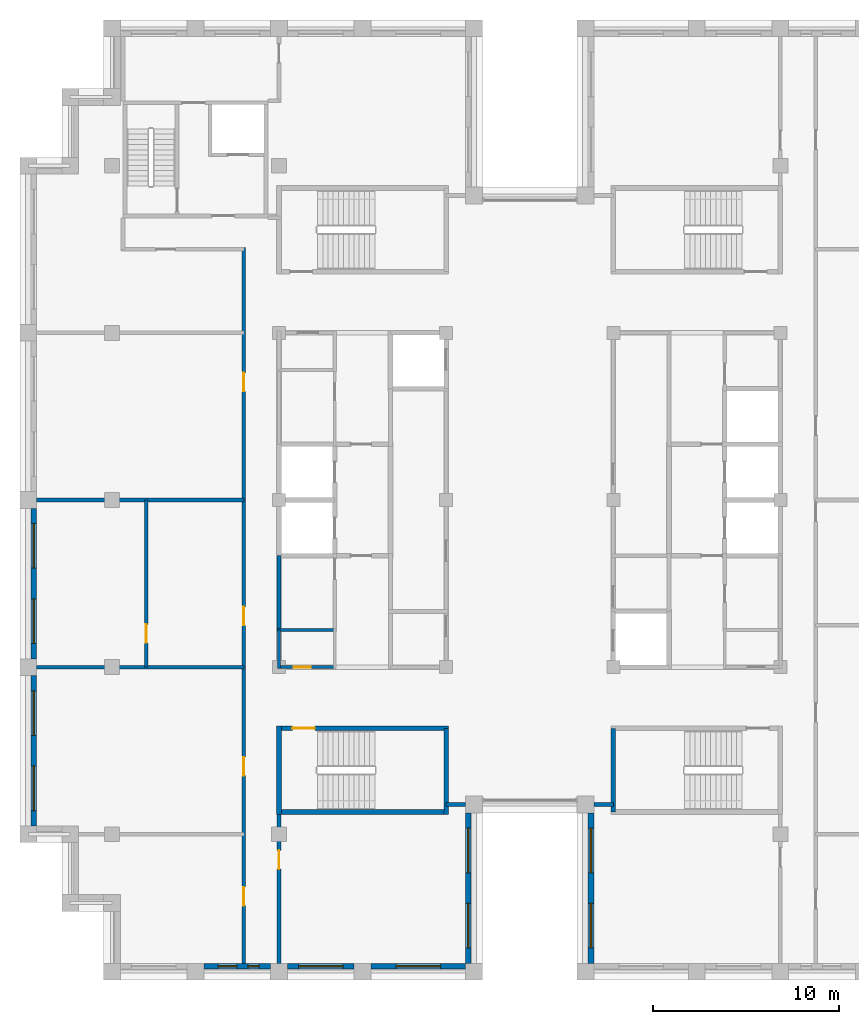
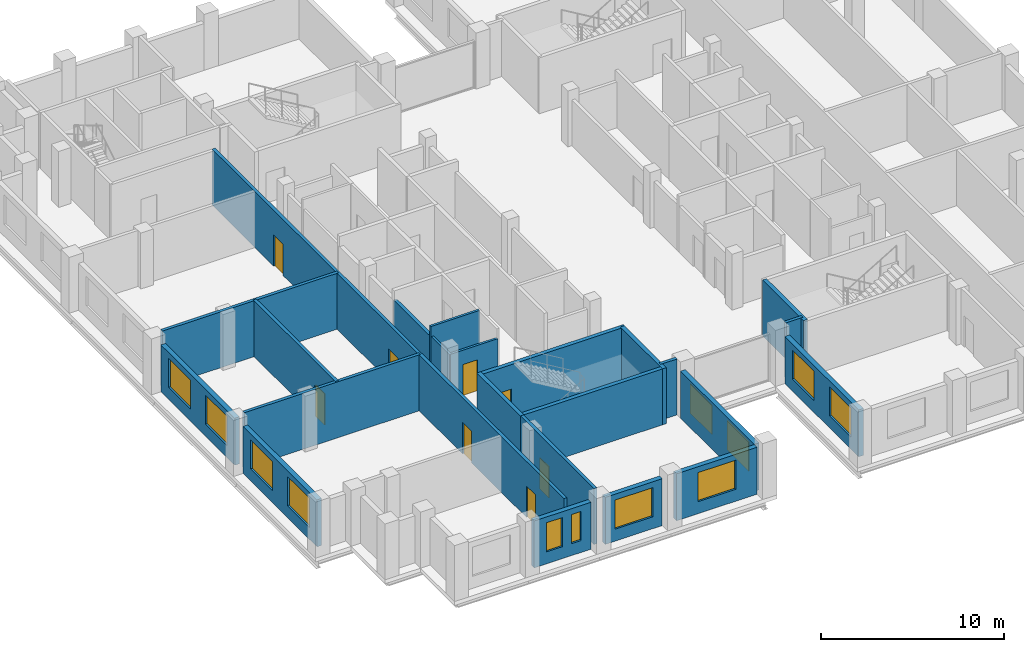
# One storey, part 6 of 13: 23 walls, 12 windows, 8 doors, 20 openings.
"""IFC4 building model written with IfcOpenShell, lengths in metres."""

from ifc_helpers import new_model, si_unit, direction, frame, frame_2d, origin, place, context, subcontext, project, spatial, rectangle, extrude, material, layer, layer_set, type_object, element, fill, save


model = new_model("IFC4")

# Units and contexts
model_context = context("Model", 3, precision=1e-05, world=origin(), true_north=direction((0.0, 1.0)))
body_context = subcontext(model_context, "Body", "Model", "MODEL_VIEW")
ifc_project = project(units=[si_unit("LENGTHUNIT", "METRE"), si_unit("AREAUNIT", "SQUARE_METRE"), si_unit("VOLUMEUNIT", "CUBIC_METRE"), si_unit("PLANEANGLEUNIT", "RADIAN"), si_unit("MASSUNIT", "GRAM", prefix="KILO")], contexts=[model_context])

# Site, building, storey
site_placement = place(None, origin())
site = spatial("IfcSite", under=ifc_project, at=site_placement, CompositionType="ELEMENT")
building_placement = place(site_placement, origin())
building = spatial("IfcBuilding", under=site, at=building_placement, Name="Corbelhall Arena Tower", CompositionType="ELEMENT")
storey_placement = place(building_placement, frame((0.0, 0.0, 330.0)))
storey = spatial("IfcBuildingStorey", under=building, at=storey_placement, Name="L72", CompositionType="ELEMENT", Elevation=330.0)

# Wall, openings, windows
ifc_material_1 = material(Name="Precast concrete C40/50 with granite facing", Category="masonry")
ifc_layer_1 = layer(ifc_material_1, 0.300048828125)
ifc_layer_set_1 = layer_set([ifc_layer_1], Name="EV-IW1 Infill panel 300")
wall_type_1 = type_object("IfcWallType", Name="EV-IW1 Infill panel 300", PredefinedType="SOLIDWALL", material=ifc_layer_set_1)
wall_1_placement = place(storey_placement, frame((-26.699951171875, -0.449951171875, 0.0), z_axis=(0.0, 0.0, 1.0), x_axis=(0.0, -1.0, 0.0)))
wall_1 = element("IfcWall", 1, at=wall_1_placement, inside=storey, type_object=wall_type_1, Name="Infill panel IW1", PredefinedType="SOLIDWALL", context=body_context, shape_type="SweptSolid", body=[
    extrude(rectangle(XDim=8.10009765625, YDim=0.300048828125, at=frame_2d((4.050048828125, 0.0))), origin(), (0.0, 0.0, 1.0), 3.139892578125),
])
opening_1_placement = place(wall_1_placement, frame((0.824951171875, 0.0, 0.800048828125)))
opening_1 = element("IfcOpeningElement", 2, at=opening_1_placement, cuts=wall_1, Name="Opening WN1", PredefinedType="OPENING", context=body_context, shape_type="SweptSolid", body=[
    extrude(rectangle(XDim=2.39990234375, YDim=1.949951171875, at=frame_2d((1.199951171875, 0.97509765625))), frame((0.0, 0.14990234375, 0.0), z_axis=(0.0, -1.0, 0.0), x_axis=(1.0, 0.0, 0.0)), (0.0, 0.0, 1.0), 0.300048828125),
])
opening_2_placement = place(wall_1_placement, frame((4.875, 0.0, 0.800048828125)))
opening_2 = element("IfcOpeningElement", 3, at=opening_2_placement, cuts=wall_1, Name="Opening WN1", PredefinedType="OPENING", context=body_context, shape_type="SweptSolid", body=[
    extrude(rectangle(XDim=2.39990234375, YDim=1.949951171875, at=frame_2d((1.199951171875, 0.97509765625))), frame((0.0, 0.14990234375, 0.0), z_axis=(0.0, -1.0, 0.0), x_axis=(1.0, 0.0, 0.0)), (0.0, 0.0, 1.0), 0.300048828125),
])
ifc_material_2 = material(Name="Aluminium black anodised", Category="aluminium")
window_type_1 = type_object("IfcWindowType", Name="EV-WN1 Office window", PartitioningType="SINGLE_PANEL", PredefinedType="WINDOW", material=ifc_material_2)
window_1_placement = place(opening_1_placement, origin())
window_1 = element("IfcWindow", 4, at=window_1_placement, inside=storey, type_object=window_type_1, Name="Window WN1", OverallHeight=1.949951171875, OverallWidth=2.39990234375, PartitioningType="SINGLE_PANEL", PredefinedType="WINDOW", context=body_context, shape_type="SweptSolid", body=[
    extrude(rectangle(XDim=2.39990234375, YDim=1.949951171875, at=frame_2d((1.199951171875, 0.97509765625))), frame((0.0, 0.030029296875, 0.0), z_axis=(0.0, -1.0, 0.0), x_axis=(1.0, 0.0, 0.0)), (0.0, 0.0, 1.0), 0.06005859375),
])
fill(opening_1, window_1)
window_2_placement = place(opening_2_placement, origin())
window_2 = element("IfcWindow", 5, at=window_2_placement, inside=storey, type_object=window_type_1, Name="Window WN1", OverallHeight=1.949951171875, OverallWidth=2.39990234375, PartitioningType="SINGLE_PANEL", PredefinedType="WINDOW", context=body_context, shape_type="SweptSolid", body=[
    extrude(rectangle(XDim=2.39990234375, YDim=1.949951171875, at=frame_2d((1.199951171875, 0.97509765625))), frame((0.0, 0.030029296875, 0.0), z_axis=(0.0, -1.0, 0.0), x_axis=(1.0, 0.0, 0.0)), (0.0, 0.0, 1.0), 0.06005859375),
])
fill(opening_2, window_2)

wall_2_placement = place(storey_placement, frame((-26.699951171875, -9.449951171875, 0.0), z_axis=(0.0, 0.0, 1.0), x_axis=(0.0, -1.0, 0.0)))
wall_2 = element("IfcWall", 6, at=wall_2_placement, inside=storey, type_object=wall_type_1, Name="Infill panel IW1", PredefinedType="SOLIDWALL", context=body_context, shape_type="SweptSolid", body=[
    extrude(rectangle(XDim=8.10009765625, YDim=0.300048828125, at=frame_2d((4.050048828125, 0.0))), origin(), (0.0, 0.0, 1.0), 3.139892578125),
])
opening_3_placement = place(wall_2_placement, frame((0.824951171875, 0.0, 0.800048828125)))
opening_3 = element("IfcOpeningElement", 7, at=opening_3_placement, cuts=wall_2, Name="Opening WN1", PredefinedType="OPENING", context=body_context, shape_type="SweptSolid", body=[
    extrude(rectangle(XDim=2.39990234375, YDim=1.949951171875, at=frame_2d((1.199951171875, 0.97509765625))), frame((0.0, 0.14990234375, 0.0), z_axis=(0.0, -1.0, 0.0), x_axis=(1.0, 0.0, 0.0)), (0.0, 0.0, 1.0), 0.300048828125),
])
opening_4_placement = place(wall_2_placement, frame((4.875, 0.0, 0.800048828125)))
opening_4 = element("IfcOpeningElement", 8, at=opening_4_placement, cuts=wall_2, Name="Opening WN1", PredefinedType="OPENING", context=body_context, shape_type="SweptSolid", body=[
    extrude(rectangle(XDim=2.39990234375, YDim=1.949951171875, at=frame_2d((1.199951171875, 0.97509765625))), frame((0.0, 0.14990234375, 0.0), z_axis=(0.0, -1.0, 0.0), x_axis=(1.0, 0.0, 0.0)), (0.0, 0.0, 1.0), 0.300048828125),
])
window_3_placement = place(opening_3_placement, origin())
window_3 = element("IfcWindow", 9, at=window_3_placement, inside=storey, type_object=window_type_1, Name="Window WN1", OverallHeight=1.949951171875, OverallWidth=2.39990234375, PartitioningType="SINGLE_PANEL", PredefinedType="WINDOW", context=body_context, shape_type="SweptSolid", body=[
    extrude(rectangle(XDim=2.39990234375, YDim=1.949951171875, at=frame_2d((1.199951171875, 0.97509765625))), frame((0.0, 0.030029296875, 0.0), z_axis=(0.0, -1.0, 0.0), x_axis=(1.0, 0.0, 0.0)), (0.0, 0.0, 1.0), 0.06005859375),
])
fill(opening_3, window_3)
window_4_placement = place(opening_4_placement, origin())
window_4 = element("IfcWindow", 10, at=window_4_placement, inside=storey, type_object=window_type_1, Name="Window WN1", OverallHeight=1.949951171875, OverallWidth=2.39990234375, PartitioningType="SINGLE_PANEL", PredefinedType="WINDOW", context=body_context, shape_type="SweptSolid", body=[
    extrude(rectangle(XDim=2.39990234375, YDim=1.949951171875, at=frame_2d((1.199951171875, 0.97509765625))), frame((0.0, 0.030029296875, 0.0), z_axis=(0.0, -1.0, 0.0), x_axis=(1.0, 0.0, 0.0)), (0.0, 0.0, 1.0), 0.06005859375),
])
fill(opening_4, window_4)

wall_3_placement = place(storey_placement, frame((-17.550048828125, -25.10009765625, 0.0), z_axis=(0.0, 0.0, 1.0), x_axis=(1.0, 0.0, 0.0)))
wall_3 = element("IfcWall", 11, at=wall_3_placement, inside=storey, type_object=wall_type_1, Name="Infill panel IW1", PredefinedType="SOLIDWALL", context=body_context, shape_type="SweptSolid", body=[
    extrude(rectangle(XDim=3.60009765625, YDim=0.300048828125, at=frame_2d((1.800048828125, 0.0))), origin(), (0.0, 0.0, 1.0), 3.139892578125),
])
opening_5_placement = place(wall_3_placement, frame((0.77490234375, 0.0, 0.800048828125)))
opening_5 = element("IfcOpeningElement", 12, at=opening_5_placement, cuts=wall_3, Name="Opening WN6", PredefinedType="OPENING", context=body_context, shape_type="SweptSolid", body=[
    extrude(rectangle(XDim=1.0, YDim=1.949951171875, at=frame_2d((0.5, 0.97509765625))), frame((0.0, 0.14990234375, 0.0), z_axis=(0.0, -1.0, 0.0), x_axis=(1.0, 0.0, 0.0)), (0.0, 0.0, 1.0), 0.300048828125),
])
opening_6_placement = place(wall_3_placement, frame((2.375, 0.0, 0.800048828125)))
opening_6 = element("IfcOpeningElement", 13, at=opening_6_placement, cuts=wall_3, Name="Opening WN5", PredefinedType="OPENING", context=body_context, shape_type="SweptSolid", body=[
    extrude(rectangle(XDim=0.60009765625, YDim=1.949951171875, at=frame_2d((0.300048828125, 0.97509765625))), frame((0.0, 0.14990234375, 0.0), z_axis=(0.0, -1.0, 0.0), x_axis=(1.0, 0.0, 0.0)), (0.0, 0.0, 1.0), 0.300048828125),
])
window_type_2 = type_object("IfcWindowType", Name="EV-WN5 Office window 600", PartitioningType="SINGLE_PANEL", PredefinedType="WINDOW", material=ifc_material_2)
window_5_placement = place(opening_6_placement, origin())
window_5 = element("IfcWindow", 14, at=window_5_placement, inside=storey, type_object=window_type_2, Name="Window WN5", OverallHeight=1.949951171875, OverallWidth=0.60009765625, PartitioningType="SINGLE_PANEL", PredefinedType="WINDOW", context=body_context, shape_type="SweptSolid", body=[
    extrude(rectangle(XDim=0.60009765625, YDim=1.949951171875, at=frame_2d((0.300048828125, 0.97509765625))), frame((0.0, 0.030029296875, 0.0), z_axis=(0.0, -1.0, 0.0), x_axis=(1.0, 0.0, 0.0)), (0.0, 0.0, 1.0), 0.06005859375),
])
fill(opening_6, window_5)
window_type_3 = type_object("IfcWindowType", Name="EV-WN6 Office window 1000", PartitioningType="SINGLE_PANEL", PredefinedType="WINDOW", material=ifc_material_2)
window_6_placement = place(opening_5_placement, origin())
window_6 = element("IfcWindow", 15, at=window_6_placement, inside=storey, type_object=window_type_3, Name="Window WN6", OverallHeight=1.949951171875, OverallWidth=1.0, PartitioningType="SINGLE_PANEL", PredefinedType="WINDOW", context=body_context, shape_type="SweptSolid", body=[
    extrude(rectangle(XDim=1.0, YDim=1.949951171875, at=frame_2d((0.5, 0.97509765625))), frame((0.0, 0.030029296875, 0.0), z_axis=(0.0, -1.0, 0.0), x_axis=(1.0, 0.0, 0.0)), (0.0, 0.0, 1.0), 0.06005859375),
])
fill(opening_5, window_6)

# Wall, opening, window
wall_4_placement = place(storey_placement, frame((-13.050048828125, -25.10009765625, 0.0), z_axis=(0.0, 0.0, 1.0), x_axis=(1.0, 0.0, 0.0)))
wall_4 = element("IfcWall", 16, at=wall_4_placement, inside=storey, type_object=wall_type_1, Name="Infill panel IW1", PredefinedType="SOLIDWALL", context=body_context, shape_type="SweptSolid", body=[
    extrude(rectangle(XDim=3.60009765625, YDim=0.300048828125, at=frame_2d((1.800048828125, 0.0))), origin(), (0.0, 0.0, 1.0), 3.139892578125),
])
opening_7_placement = place(wall_4_placement, frame((0.60009765625, 0.0, 0.800048828125)))
opening_7 = element("IfcOpeningElement", 17, at=opening_7_placement, cuts=wall_4, Name="Opening WN1", PredefinedType="OPENING", context=body_context, shape_type="SweptSolid", body=[
    extrude(rectangle(XDim=2.39990234375, YDim=1.949951171875, at=frame_2d((1.199951171875, 0.97509765625))), frame((0.0, 0.14990234375, 0.0), z_axis=(0.0, -1.0, 0.0), x_axis=(1.0, 0.0, 0.0)), (0.0, 0.0, 1.0), 0.300048828125),
])
window_7_placement = place(opening_7_placement, origin())
window_7 = element("IfcWindow", 18, at=window_7_placement, inside=storey, type_object=window_type_1, Name="Window WN1", OverallHeight=1.949951171875, OverallWidth=2.39990234375, PartitioningType="SINGLE_PANEL", PredefinedType="WINDOW", context=body_context, shape_type="SweptSolid", body=[
    extrude(rectangle(XDim=2.39990234375, YDim=1.949951171875, at=frame_2d((1.199951171875, 0.97509765625))), frame((0.0, 0.030029296875, 0.0), z_axis=(0.0, -1.0, 0.0), x_axis=(1.0, 0.0, 0.0)), (0.0, 0.0, 1.0), 0.06005859375),
])
fill(opening_7, window_7)

wall_5_placement = place(storey_placement, frame((-8.550048828125, -25.10009765625, 0.0), z_axis=(0.0, 0.0, 1.0), x_axis=(1.0, 0.0, 0.0)))
wall_5 = element("IfcWall", 19, at=wall_5_placement, inside=storey, type_object=wall_type_1, Name="Infill panel IW1", PredefinedType="SOLIDWALL", context=body_context, shape_type="SweptSolid", body=[
    extrude(rectangle(XDim=5.10009765625, YDim=0.300048828125, at=frame_2d((2.550048828125, 0.0))), origin(), (0.0, 0.0, 1.0), 3.139892578125),
])
opening_8_placement = place(wall_5_placement, frame((1.35009765625, 0.0, 0.800048828125)))
opening_8 = element("IfcOpeningElement", 20, at=opening_8_placement, cuts=wall_5, Name="Opening WN1", PredefinedType="OPENING", context=body_context, shape_type="SweptSolid", body=[
    extrude(rectangle(XDim=2.39990234375, YDim=1.949951171875, at=frame_2d((1.199951171875, 0.97509765625))), frame((0.0, 0.14990234375, 0.0), z_axis=(0.0, -1.0, 0.0), x_axis=(1.0, 0.0, 0.0)), (0.0, 0.0, 1.0), 0.300048828125),
])
window_8_placement = place(opening_8_placement, origin())
window_8 = element("IfcWindow", 21, at=window_8_placement, inside=storey, type_object=window_type_1, Name="Window WN1", OverallHeight=1.949951171875, OverallWidth=2.39990234375, PartitioningType="SINGLE_PANEL", PredefinedType="WINDOW", context=body_context, shape_type="SweptSolid", body=[
    extrude(rectangle(XDim=2.39990234375, YDim=1.949951171875, at=frame_2d((1.199951171875, 0.97509765625))), frame((0.0, 0.030029296875, 0.0), z_axis=(0.0, -1.0, 0.0), x_axis=(1.0, 0.0, 0.0)), (0.0, 0.0, 1.0), 0.06005859375),
])
fill(opening_8, window_8)

# Wall, openings, windows
wall_6_placement = place(storey_placement, frame((-3.300048828125, -24.949951171875, 0.0), z_axis=(0.0, 0.0, 1.0), x_axis=(0.0, 1.0, 0.0)))
wall_6 = element("IfcWall", 22, at=wall_6_placement, inside=storey, type_object=wall_type_1, Name="Infill panel IW1", PredefinedType="SOLIDWALL", context=body_context, shape_type="SweptSolid", body=[
    extrude(rectangle(XDim=8.099853515625, YDim=0.300048828125, at=frame_2d((4.0498046875, 0.0))), origin(), (0.0, 0.0, 1.0), 3.139892578125),
])
opening_9_placement = place(wall_6_placement, frame((0.824951171875, 0.0, 0.800048828125)))
opening_9 = element("IfcOpeningElement", 23, at=opening_9_placement, cuts=wall_6, Name="Opening WN1", PredefinedType="OPENING", context=body_context, shape_type="SweptSolid", body=[
    extrude(rectangle(XDim=2.39990234375, YDim=1.949951171875, at=frame_2d((1.199951171875, 0.97509765625))), frame((0.0, 0.14990234375, 0.0), z_axis=(0.0, -1.0, 0.0), x_axis=(1.0, 0.0, 0.0)), (0.0, 0.0, 1.0), 0.300048828125),
])
opening_10_placement = place(wall_6_placement, frame((4.875, 0.0, 0.800048828125)))
opening_10 = element("IfcOpeningElement", 24, at=opening_10_placement, cuts=wall_6, Name="Opening WN1", PredefinedType="OPENING", context=body_context, shape_type="SweptSolid", body=[
    extrude(rectangle(XDim=2.39990234375, YDim=1.949951171875, at=frame_2d((1.199951171875, 0.97509765625))), frame((0.0, 0.14990234375, 0.0), z_axis=(0.0, -1.0, 0.0), x_axis=(1.0, 0.0, 0.0)), (0.0, 0.0, 1.0), 0.300048828125),
])
window_9_placement = place(opening_9_placement, origin())
window_9 = element("IfcWindow", 25, at=window_9_placement, inside=storey, type_object=window_type_1, Name="Window WN1", OverallHeight=1.949951171875, OverallWidth=2.39990234375, PartitioningType="SINGLE_PANEL", PredefinedType="WINDOW", context=body_context, shape_type="SweptSolid", body=[
    extrude(rectangle(XDim=2.39990234375, YDim=1.949951171875, at=frame_2d((1.199951171875, 0.97509765625))), frame((0.0, 0.030029296875, 0.0), z_axis=(0.0, -1.0, 0.0), x_axis=(1.0, 0.0, 0.0)), (0.0, 0.0, 1.0), 0.06005859375),
])
fill(opening_9, window_9)
window_10_placement = place(opening_10_placement, origin())
window_10 = element("IfcWindow", 26, at=window_10_placement, inside=storey, type_object=window_type_1, Name="Window WN1", OverallHeight=1.949951171875, OverallWidth=2.39990234375, PartitioningType="SINGLE_PANEL", PredefinedType="WINDOW", context=body_context, shape_type="SweptSolid", body=[
    extrude(rectangle(XDim=2.39990234375, YDim=1.949951171875, at=frame_2d((1.199951171875, 0.97509765625))), frame((0.0, 0.030029296875, 0.0), z_axis=(0.0, -1.0, 0.0), x_axis=(1.0, 0.0, 0.0)), (0.0, 0.0, 1.0), 0.06005859375),
])
fill(opening_10, window_10)

wall_7_placement = place(storey_placement, frame((3.300048828125, -16.85009765625, 0.0), z_axis=(0.0, 0.0, 1.0), x_axis=(0.0, -1.0, 0.0)))
wall_7 = element("IfcWall", 27, at=wall_7_placement, inside=storey, type_object=wall_type_1, Name="Infill panel IW1", PredefinedType="SOLIDWALL", context=body_context, shape_type="SweptSolid", body=[
    extrude(rectangle(XDim=8.099853515625, YDim=0.300048828125, at=frame_2d((4.0498046875, 0.0))), origin(), (0.0, 0.0, 1.0), 3.139892578125),
])
opening_11_placement = place(wall_7_placement, frame((0.824951171875, 0.0, 0.800048828125)))
opening_11 = element("IfcOpeningElement", 28, at=opening_11_placement, cuts=wall_7, Name="Opening WN1", PredefinedType="OPENING", context=body_context, shape_type="SweptSolid", body=[
    extrude(rectangle(XDim=2.39990234375, YDim=1.949951171875, at=frame_2d((1.199951171875, 0.97509765625))), frame((0.0, 0.14990234375, 0.0), z_axis=(0.0, -1.0, 0.0), x_axis=(1.0, 0.0, 0.0)), (0.0, 0.0, 1.0), 0.300048828125),
])
opening_12_placement = place(wall_7_placement, frame((4.875, 0.0, 0.800048828125)))
opening_12 = element("IfcOpeningElement", 29, at=opening_12_placement, cuts=wall_7, Name="Opening WN1", PredefinedType="OPENING", context=body_context, shape_type="SweptSolid", body=[
    extrude(rectangle(XDim=2.39990234375, YDim=1.949951171875, at=frame_2d((1.199951171875, 0.97509765625))), frame((0.0, 0.14990234375, 0.0), z_axis=(0.0, -1.0, 0.0), x_axis=(1.0, 0.0, 0.0)), (0.0, 0.0, 1.0), 0.300048828125),
])
window_11_placement = place(opening_11_placement, origin())
window_11 = element("IfcWindow", 30, at=window_11_placement, inside=storey, type_object=window_type_1, Name="Window WN1", OverallHeight=1.949951171875, OverallWidth=2.39990234375, PartitioningType="SINGLE_PANEL", PredefinedType="WINDOW", context=body_context, shape_type="SweptSolid", body=[
    extrude(rectangle(XDim=2.39990234375, YDim=1.949951171875, at=frame_2d((1.199951171875, 0.97509765625))), frame((0.0, 0.030029296875, 0.0), z_axis=(0.0, -1.0, 0.0), x_axis=(1.0, 0.0, 0.0)), (0.0, 0.0, 1.0), 0.06005859375),
])
fill(opening_11, window_11)
window_12_placement = place(opening_12_placement, origin())
window_12 = element("IfcWindow", 31, at=window_12_placement, inside=storey, type_object=window_type_1, Name="Window WN1", OverallHeight=1.949951171875, OverallWidth=2.39990234375, PartitioningType="SINGLE_PANEL", PredefinedType="WINDOW", context=body_context, shape_type="SweptSolid", body=[
    extrude(rectangle(XDim=2.39990234375, YDim=1.949951171875, at=frame_2d((1.199951171875, 0.97509765625))), frame((0.0, 0.030029296875, 0.0), z_axis=(0.0, -1.0, 0.0), x_axis=(1.0, 0.0, 0.0)), (0.0, 0.0, 1.0), 0.06005859375),
])
fill(opening_12, window_12)

# Wall
ifc_material_3 = material(Name="Gypsum board on steel stud, acoustic", Category="steel")
ifc_layer_2 = layer(ifc_material_3, 0.199951171875)
ifc_layer_set_2 = layer_set([ifc_layer_2], Name="IN-W-DM200")
wall_type_2 = type_object("IfcWallType", Name="IN-W-DM200", PredefinedType="PARTITIONING", material=ifc_layer_set_2)
wall_8_placement = place(storey_placement, frame((-26.550048828125, -9.0, 0.0), z_axis=(0.0, 0.0, 1.0), x_axis=(1.0, 0.0, 0.0)))
element("IfcWall", 32, at=wall_8_placement, inside=storey, type_object=wall_type_2, Name="Partition 001", PredefinedType="PARTITIONING", context=body_context, shape_type="SweptSolid", body=[
    extrude(rectangle(XDim=11.150146484375, YDim=0.199951171875, at=frame_2d((5.5751953125, 0.0))), origin(), (0.0, 0.0, 1.0), 3.739990234375),
])

# Wall, opening, door
wall_9_placement = place(storey_placement, frame((-20.64990234375, -9.0, 0.0), z_axis=(0.0, 0.0, 1.0), x_axis=(0.0, 1.0, 0.0)))
wall_9 = element("IfcWall", 33, at=wall_9_placement, inside=storey, type_object=wall_type_2, Name="Partition 006", PredefinedType="PARTITIONING", context=body_context, shape_type="SweptSolid", body=[
    extrude(rectangle(XDim=9.0, YDim=0.199951171875, at=frame_2d((4.5, 0.0))), origin(), (0.0, 0.0, 1.0), 3.739990234375),
])
opening_13_placement = place(wall_9_placement, frame((1.300048828125, 0.0, 0.0)))
opening_13 = element("IfcOpeningElement", 34, at=opening_13_placement, cuts=wall_9, Name="Opening 23028", PredefinedType="OPENING", context=body_context, shape_type="SweptSolid", body=[
    extrude(rectangle(XDim=1.0, YDim=2.10009765625, at=frame_2d((0.5, 1.050048828125))), frame((0.0, 0.10009765625, 0.0), z_axis=(0.0, -1.0, 0.0), x_axis=(1.0, 0.0, 0.0)), (0.0, 0.0, 1.0), 0.199951171875),
])
ifc_material_4 = material(Name="Steel door set", Category="steel")
door_type_1 = type_object("IfcDoorType", Name="IN-D-SW100", OperationType="NOTDEFINED", PredefinedType="DOOR", material=ifc_material_4)
door_1_placement = place(opening_13_placement, origin())
door_1 = element("IfcDoor", 35, at=door_1_placement, inside=storey, type_object=door_type_1, Name="Door 028", OperationType="SINGLE_SWING_LEFT", OverallHeight=2.10009765625, OverallWidth=1.0, PredefinedType="DOOR", context=body_context, shape_type="SweptSolid", body=[
    extrude(rectangle(XDim=1.0, YDim=2.10009765625, at=frame_2d((0.5, 1.050048828125))), frame((0.0, 0.02490234375, 0.0), z_axis=(0.0, -1.0, 0.0), x_axis=(1.0, 0.0, 0.0)), (0.0, 0.0, 1.0), 0.050048828125),
])
fill(opening_13, door_1)

# Wall
wall_10_placement = place(storey_placement, frame((-15.39990234375, 0.0, 0.0), z_axis=(0.0, 0.0, 1.0), x_axis=(-1.0, 0.0, 0.0)))
element("IfcWall", 36, at=wall_10_placement, inside=storey, type_object=wall_type_2, Name="Partition 007", PredefinedType="PARTITIONING", context=body_context, shape_type="SweptSolid", body=[
    extrude(rectangle(XDim=11.150146484375, YDim=0.199951171875, at=frame_2d((5.5751953125, 0.0))), origin(), (0.0, 0.0, 1.0), 3.739990234375),
])

# Wall, openings, doors
wall_11_placement = place(storey_placement, frame((-15.39990234375, -24.949951171875, 0.0), z_axis=(0.0, 0.0, 1.0), x_axis=(0.0, 1.0, 0.0)))
wall_11 = element("IfcWall", 37, at=wall_11_placement, inside=storey, type_object=wall_type_2, Name="Partition 008", PredefinedType="PARTITIONING", context=body_context, shape_type="SweptSolid", body=[
    extrude(rectangle(XDim=38.550048828125, YDim=0.199951171875, at=frame_2d((19.27490234375, 0.0))), origin(), (0.0, 0.0, 1.0), 3.739990234375),
])
opening_14_placement = place(wall_11_placement, frame((30.800048828125, 0.0, 0.0)))
opening_14 = element("IfcOpeningElement", 38, at=opening_14_placement, cuts=wall_11, Name="Opening 23023", PredefinedType="OPENING", context=body_context, shape_type="SweptSolid", body=[
    extrude(rectangle(XDim=1.0, YDim=2.10009765625, at=frame_2d((0.5, 1.050048828125))), frame((0.0, 0.10009765625, 0.0), z_axis=(0.0, -1.0, 0.0), x_axis=(1.0, 0.0, 0.0)), (0.0, 0.0, 1.0), 0.199951171875),
])
opening_15_placement = place(wall_11_placement, frame((3.10009765625, 0.0, 0.0)))
opening_15 = element("IfcOpeningElement", 39, at=opening_15_placement, cuts=wall_11, Name="Opening 23025", PredefinedType="OPENING", context=body_context, shape_type="SweptSolid", body=[
    extrude(rectangle(XDim=1.0, YDim=2.10009765625, at=frame_2d((0.5, 1.050048828125))), frame((0.0, 0.10009765625, 0.0), z_axis=(0.0, -1.0, 0.0), x_axis=(1.0, 0.0, 0.0)), (0.0, 0.0, 1.0), 0.199951171875),
])
opening_16_placement = place(wall_11_placement, frame((10.10009765625, 0.0, 0.0)))
opening_16 = element("IfcOpeningElement", 40, at=opening_16_placement, cuts=wall_11, Name="Opening 23026", PredefinedType="OPENING", context=body_context, shape_type="SweptSolid", body=[
    extrude(rectangle(XDim=1.0, YDim=2.10009765625, at=frame_2d((0.5, 1.050048828125))), frame((0.0, 0.10009765625, 0.0), z_axis=(0.0, -1.0, 0.0), x_axis=(1.0, 0.0, 0.0)), (0.0, 0.0, 1.0), 0.199951171875),
])
opening_17_placement = place(wall_11_placement, frame((18.199951171875, 0.0, 0.0)))
opening_17 = element("IfcOpeningElement", 41, at=opening_17_placement, cuts=wall_11, Name="Opening 23027", PredefinedType="OPENING", context=body_context, shape_type="SweptSolid", body=[
    extrude(rectangle(XDim=1.0, YDim=2.10009765625, at=frame_2d((0.5, 1.050048828125))), frame((0.0, 0.10009765625, 0.0), z_axis=(0.0, -1.0, 0.0), x_axis=(1.0, 0.0, 0.0)), (0.0, 0.0, 1.0), 0.199951171875),
])
door_2_placement = place(opening_14_placement, origin())
door_2 = element("IfcDoor", 42, at=door_2_placement, inside=storey, type_object=door_type_1, Name="Door 023", OperationType="SINGLE_SWING_RIGHT", OverallHeight=2.10009765625, OverallWidth=1.0, PredefinedType="DOOR", context=body_context, shape_type="SweptSolid", body=[
    extrude(rectangle(XDim=1.0, YDim=2.10009765625, at=frame_2d((0.5, 1.050048828125))), frame((0.0, 0.02490234375, 0.0), z_axis=(0.0, -1.0, 0.0), x_axis=(1.0, 0.0, 0.0)), (0.0, 0.0, 1.0), 0.050048828125),
])
fill(opening_14, door_2)
door_3_placement = place(opening_15_placement, origin())
door_3 = element("IfcDoor", 43, at=door_3_placement, inside=storey, type_object=door_type_1, Name="Door 025", OperationType="SINGLE_SWING_RIGHT", OverallHeight=2.10009765625, OverallWidth=1.0, PredefinedType="DOOR", context=body_context, shape_type="SweptSolid", body=[
    extrude(rectangle(XDim=1.0, YDim=2.10009765625, at=frame_2d((0.5, 1.050048828125))), frame((0.0, 0.02490234375, 0.0), z_axis=(0.0, -1.0, 0.0), x_axis=(1.0, 0.0, 0.0)), (0.0, 0.0, 1.0), 0.050048828125),
])
fill(opening_15, door_3)
door_4_placement = place(opening_16_placement, origin())
door_4 = element("IfcDoor", 44, at=door_4_placement, inside=storey, type_object=door_type_1, Name="Door 026", OperationType="SINGLE_SWING_LEFT", OverallHeight=2.10009765625, OverallWidth=1.0, PredefinedType="DOOR", context=body_context, shape_type="SweptSolid", body=[
    extrude(rectangle(XDim=1.0, YDim=2.10009765625, at=frame_2d((0.5, 1.050048828125))), frame((0.0, 0.02490234375, 0.0), z_axis=(0.0, -1.0, 0.0), x_axis=(1.0, 0.0, 0.0)), (0.0, 0.0, 1.0), 0.050048828125),
])
fill(opening_16, door_4)
door_5_placement = place(opening_17_placement, origin())
door_5 = element("IfcDoor", 45, at=door_5_placement, inside=storey, type_object=door_type_1, Name="Door 027", OperationType="SINGLE_SWING_RIGHT", OverallHeight=2.10009765625, OverallWidth=1.0, PredefinedType="DOOR", context=body_context, shape_type="SweptSolid", body=[
    extrude(rectangle(XDim=1.0, YDim=2.10009765625, at=frame_2d((0.5, 1.050048828125))), frame((0.0, 0.02490234375, 0.0), z_axis=(0.0, -1.0, 0.0), x_axis=(1.0, 0.0, 0.0)), (0.0, 0.0, 1.0), 0.050048828125),
])
fill(opening_17, door_5)

# Wall, opening, door
wall_12_placement = place(storey_placement, frame((-13.5, -16.675048828125, 0.0), z_axis=(0.0, 0.0, 1.0), x_axis=(0.0, -1.0, 0.0)))
wall_12 = element("IfcWall", 46, at=wall_12_placement, inside=storey, type_object=wall_type_2, Name="Partition 011", PredefinedType="PARTITIONING", context=body_context, shape_type="SweptSolid", body=[
    extrude(rectangle(XDim=8.27490234375, YDim=0.199951171875, at=frame_2d((4.137451171875, 0.0))), origin(), (0.0, 0.0, 1.0), 3.739990234375),
])
opening_18_placement = place(wall_12_placement, frame((2.199951171875, 0.0, 0.0)))
opening_18 = element("IfcOpeningElement", 47, at=opening_18_placement, cuts=wall_12, Name="Opening 23021", PredefinedType="OPENING", context=body_context, shape_type="SweptSolid", body=[
    extrude(rectangle(XDim=1.0, YDim=2.10009765625, at=frame_2d((0.5, 1.050048828125))), frame((0.0, 0.10009765625, 0.0), z_axis=(0.0, -1.0, 0.0), x_axis=(1.0, 0.0, 0.0)), (0.0, 0.0, 1.0), 0.199951171875),
])
door_6_placement = place(opening_18_placement, origin())
door_6 = element("IfcDoor", 48, at=door_6_placement, inside=storey, type_object=door_type_1, Name="Door 021", OperationType="SINGLE_SWING_RIGHT", OverallHeight=2.10009765625, OverallWidth=1.0, PredefinedType="DOOR", context=body_context, shape_type="SweptSolid", body=[
    extrude(rectangle(XDim=1.0, YDim=2.10009765625, at=frame_2d((0.5, 1.050048828125))), frame((0.0, 0.02490234375, 0.0), z_axis=(0.0, -1.0, 0.0), x_axis=(1.0, 0.0, 0.0)), (0.0, 0.0, 1.0), 0.050048828125),
])
fill(opening_18, door_6)

# Walls
for number, where, z_axis, x_axis, name in (
    (49, (-3.449951171875, -16.39990234375, 0.0), (0.0, 0.0, 1.0), (-1.0, 0.0, 0.0), "Partition 015"),
    (50, (4.5, -16.39990234375, 0.0), (0.0, 0.0, 1.0), (-1.0, 0.0, 0.0), "Partition 017"),
):
    element("IfcWall", number, at=place(storey_placement, frame(where, z_axis=z_axis, x_axis=x_axis)), inside=storey, type_object=wall_type_2, Name=name, PredefinedType="PARTITIONING", context=body_context, shape_type="SweptSolid", body=[
        extrude(rectangle(XDim=1.050048828125, YDim=0.199951171875, at=frame_2d((0.52490234375, 0.0))), origin(), (0.0, 0.0, 1.0), 3.739990234375),
    ])
ifc_material_5 = material(Name="Concrete block wall", Category="concrete")
ifc_layer_3 = layer(ifc_material_5, 0.199951171875)
ifc_layer_set_3 = layer_set([ifc_layer_3], Name="IN-W-RS200 under beam 678 mm")
wall_type_3 = type_object("IfcWallType", Name="IN-W-RS200 under beam 678 mm", PredefinedType="SOLIDWALL", material=ifc_layer_set_3)
wall_13_placement = place(storey_placement, frame((-13.5, -7.0, 0.0), z_axis=(0.0, 0.0, 1.0), x_axis=(0.0, 1.0, 0.0)))
element("IfcWall", 51, at=wall_13_placement, inside=storey, type_object=wall_type_3, Name="Partition 027", PredefinedType="SOLIDWALL", context=body_context, shape_type="SweptSolid", body=[
    extrude(rectangle(XDim=4.0, YDim=0.199951171875, at=frame_2d((2.0, 0.0))), origin(), (0.0, 0.0, 1.0), 3.061767578125),
])
ifc_material_6 = material(Name="Concrete C40/50", Category="concrete")
ifc_layer_4 = layer(ifc_material_6, 0.25)
ifc_layer_set_4 = layer_set([ifc_layer_4], Name="IN-W-ST250")
wall_type_4 = type_object("IfcWallType", Name="IN-W-ST250", PredefinedType="SOLIDWALL", material=ifc_layer_set_4)
wall_14_placement = place(storey_placement, frame((-13.5, -12.175048828125, 0.0), z_axis=(0.0, 0.0, 1.0), x_axis=(0.0, -1.0, 0.0)))
element("IfcWall", 52, at=wall_14_placement, inside=storey, type_object=wall_type_4, Name="Shaft wall 068", PredefinedType="SOLIDWALL", context=body_context, shape_type="SweptSolid", body=[
    extrude(rectangle(XDim=4.75, YDim=0.25, at=frame_2d((2.375, 0.0))), origin(), (0.0, 0.0, 1.0), 3.739990234375),
])
wall_15_placement = place(storey_placement, frame((-4.5, -16.800048828125, 0.0), z_axis=(0.0, 0.0, 1.0), x_axis=(-1.0, 0.0, 0.0)))
element("IfcWall", 53, at=wall_15_placement, inside=storey, type_object=wall_type_4, Name="Shaft wall 072", PredefinedType="SOLIDWALL", context=body_context, shape_type="SweptSolid", body=[
    extrude(rectangle(XDim=9.0, YDim=0.25, at=frame_2d((4.5, 0.0))), origin(), (0.0, 0.0, 1.0), 3.739990234375),
])
wall_16_placement = place(storey_placement, frame((-4.5, -12.300048828125, 0.0), z_axis=(0.0, 0.0, 1.0), x_axis=(0.0, -1.0, 0.0)))
element("IfcWall", 54, at=wall_16_placement, inside=storey, type_object=wall_type_4, Name="Shaft wall 073", PredefinedType="SOLIDWALL", context=body_context, shape_type="SweptSolid", body=[
    extrude(rectangle(XDim=4.625, YDim=0.25, at=frame_2d((2.3125, 0.0))), origin(), (0.0, 0.0, 1.0), 3.739990234375),
])

# Wall, opening, door
wall_17_placement = place(storey_placement, frame((-4.375, -12.300048828125, 0.0), z_axis=(0.0, 0.0, 1.0), x_axis=(-1.0, 0.0, 0.0)))
wall_17 = element("IfcWall", 55, at=wall_17_placement, inside=storey, type_object=wall_type_4, Name="Shaft wall 075", PredefinedType="SOLIDWALL", context=body_context, shape_type="SweptSolid", body=[
    extrude(rectangle(XDim=9.125, YDim=0.25, at=frame_2d((4.5625, 0.0))), origin(), (0.0, 0.0, 1.0), 3.739990234375),
])
opening_19_placement = place(wall_17_placement, frame((7.199951171875, 0.0, 0.0)))
opening_19 = element("IfcOpeningElement", 56, at=opening_19_placement, cuts=wall_17, Name="Opening 23016", PredefinedType="OPENING", context=body_context, shape_type="SweptSolid", body=[
    extrude(rectangle(XDim=1.199951171875, YDim=2.10009765625, at=frame_2d((0.60009765625, 1.050048828125))), frame((0.0, 0.125, 0.0), z_axis=(0.0, -1.0, 0.0), x_axis=(1.0, 0.0, 0.0)), (0.0, 0.0, 1.0), 0.25),
])
door_type_2 = type_object("IfcDoorType", Name="IN-D-ST120", OperationType="NOTDEFINED", PredefinedType="DOOR", material=ifc_material_4)
door_7_placement = place(opening_19_placement, origin())
door_7 = element("IfcDoor", 57, at=door_7_placement, inside=storey, type_object=door_type_2, Name="Door 016", OperationType="SINGLE_SWING_LEFT", OverallHeight=2.10009765625, OverallWidth=1.199951171875, PredefinedType="DOOR", context=body_context, shape_type="SweptSolid", body=[
    extrude(rectangle(XDim=1.199951171875, YDim=2.10009765625, at=frame_2d((0.60009765625, 1.050048828125))), frame((0.0, 0.02490234375, 0.0), z_axis=(0.0, -1.0, 0.0), x_axis=(1.0, 0.0, 0.0)), (0.0, 0.0, 1.0), 0.050048828125),
])
fill(opening_19, door_7)

# Walls
wall_18_placement = place(storey_placement, frame((4.5, -16.800048828125, 0.0), z_axis=(0.0, 0.0, 1.0), x_axis=(0.0, 1.0, 0.0)))
element("IfcWall", 58, at=wall_18_placement, inside=storey, type_object=wall_type_4, Name="Shaft wall 078", PredefinedType="SOLIDWALL", context=body_context, shape_type="SweptSolid", body=[
    extrude(rectangle(XDim=4.5, YDim=0.25, at=frame_2d((2.25, 0.0))), origin(), (0.0, 0.0, 1.0), 3.739990234375),
])
ifc_material_7 = material(Name="Gypsum board on steel stud, moisture resistant", Category="steel")
ifc_layer_5 = layer(ifc_material_7, 0.14990234375)
ifc_layer_set_5 = layer_set([ifc_layer_5], Name="IN-W-WC150")
wall_type_5 = type_object("IfcWallType", Name="IN-W-WC150", PredefinedType="PARTITIONING", material=ifc_layer_set_5)
wall_19_placement = place(storey_placement, frame((-13.60009765625, -7.0, 0.0), z_axis=(0.0, 0.0, 1.0), x_axis=(1.0, 0.0, 0.0)))
element("IfcWall", 59, at=wall_19_placement, inside=storey, type_object=wall_type_5, Name="Partition 084", PredefinedType="PARTITIONING", context=body_context, shape_type="SweptSolid", body=[
    extrude(rectangle(XDim=3.10009765625, YDim=0.14990234375, at=frame_2d((1.550048828125, 0.0))), origin(), (0.0, 0.0, 1.0), 3.739990234375),
])
ifc_layer_6 = layer(ifc_material_7, 0.14990234375)
ifc_layer_set_6 = layer_set([ifc_layer_6], Name="IN-W-WC150 under beam 678 mm")
wall_type_6 = type_object("IfcWallType", Name="IN-W-WC150 under beam 678 mm", PredefinedType="PARTITIONING", material=ifc_layer_set_6)
wall_20_placement = place(storey_placement, frame((-13.5, -9.074951171875, 0.0), z_axis=(0.0, 0.0, 1.0), x_axis=(0.0, 1.0, 0.0)))
element("IfcWall", 60, at=wall_20_placement, inside=storey, type_object=wall_type_6, Name="Partition 086", PredefinedType="PARTITIONING", context=body_context, shape_type="SweptSolid", body=[
    extrude(rectangle(XDim=2.074951171875, YDim=0.14990234375, at=frame_2d((1.03759765625, 0.0))), origin(), (0.0, 0.0, 1.0), 3.061767578125),
])

# Wall, opening, door
wall_21_placement = place(storey_placement, frame((-10.5, -9.0, 0.0), z_axis=(0.0, 0.0, 1.0), x_axis=(-1.0, 0.0, 0.0)))
wall_21 = element("IfcWall", 61, at=wall_21_placement, inside=storey, type_object=wall_type_6, Name="Partition 089", PredefinedType="PARTITIONING", context=body_context, shape_type="SweptSolid", body=[
    extrude(rectangle(XDim=3.0, YDim=0.14990234375, at=frame_2d((1.5, 0.0))), origin(), (0.0, 0.0, 1.0), 3.061767578125),
])
opening_20_placement = place(wall_21_placement, frame((1.300048828125, 0.0, 0.0)))
opening_20 = element("IfcOpeningElement", 62, at=opening_20_placement, cuts=wall_21, Name="Opening 23005", PredefinedType="OPENING", context=body_context, shape_type="SweptSolid", body=[
    extrude(rectangle(XDim=0.89990234375, YDim=2.10009765625, at=frame_2d((0.449951171875, 1.050048828125))), frame((0.0, 0.074951171875, 0.0), z_axis=(0.0, -1.0, 0.0), x_axis=(1.0, 0.0, 0.0)), (0.0, 0.0, 1.0), 0.14990234375),
])
ifc_material_8 = material(Name="Timber door set", Category="wood")
door_type_3 = type_object("IfcDoorType", Name="IN-D-SW90", OperationType="NOTDEFINED", PredefinedType="DOOR", material=ifc_material_8)
door_8_placement = place(opening_20_placement, origin())
door_8 = element("IfcDoor", 63, at=door_8_placement, inside=storey, type_object=door_type_3, Name="Door 005", OperationType="SINGLE_SWING_RIGHT", OverallHeight=2.10009765625, OverallWidth=0.89990234375, PredefinedType="DOOR", context=body_context, shape_type="SweptSolid", body=[
    extrude(rectangle(XDim=0.89990234375, YDim=2.10009765625, at=frame_2d((0.449951171875, 1.050048828125))), frame((0.0, 0.02490234375, 0.0), z_axis=(0.0, -1.0, 0.0), x_axis=(1.0, 0.0, 0.0)), (0.0, 0.0, 1.0), 0.050048828125),
])
fill(opening_20, door_8)

save(model, "model.ifc")
